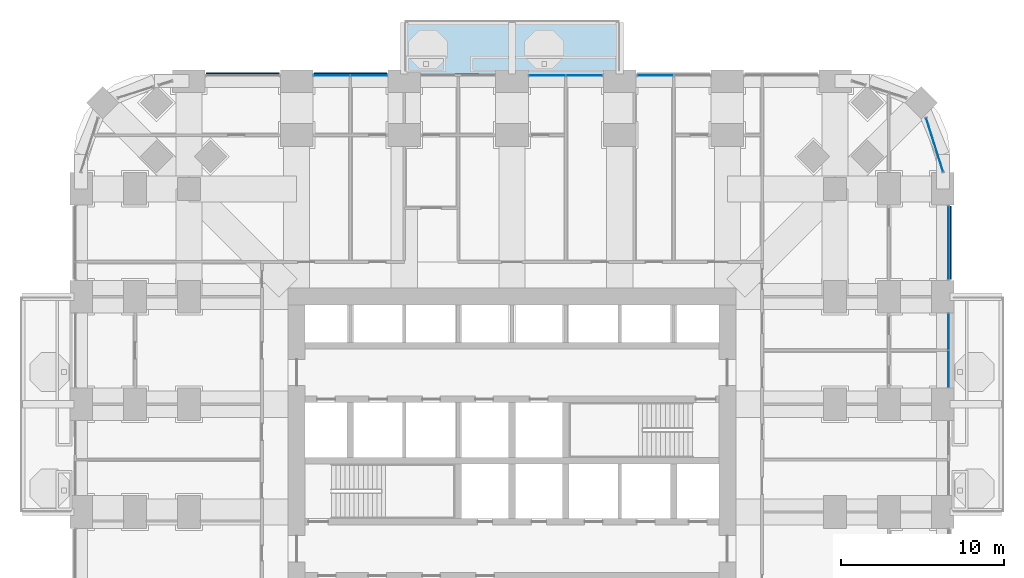
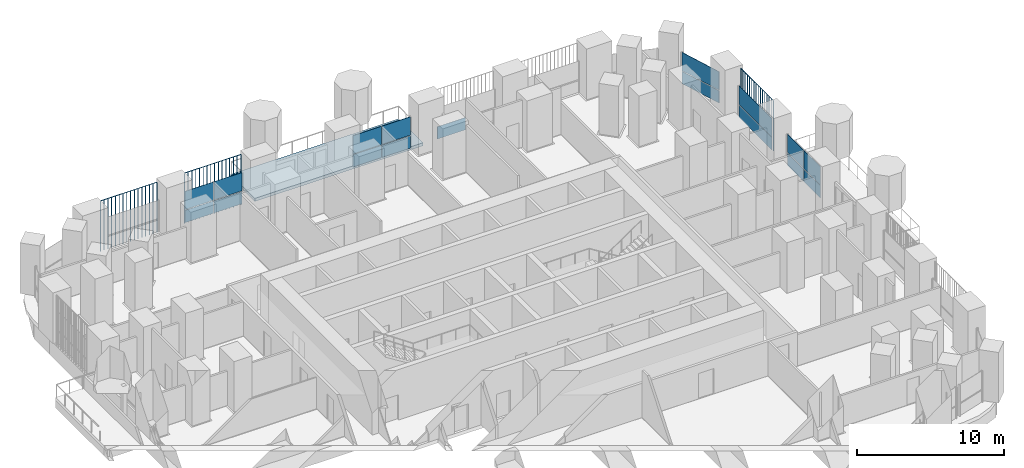
# One storey, part 14 of 25: 20 plates, 1 slab, 6 elements without a shape of their own.
"""IFC4 building model written with IfcOpenShell, lengths in metres."""

from ifc_helpers import new_model, si_unit, direction, frame, origin, origin_2d, place, context, subcontext, project, spatial, polyline, rectangle, outline, extrude, material, layer, layer_set, type_object, element, aggregate, save


model = new_model("IFC4")

# Units and contexts
model_context = context("Model", 3, precision=1e-05, world=origin(), true_north=direction((0.0, 1.0)))
body_context = subcontext(model_context, "Body", "Model", "MODEL_VIEW")
ifc_project = project(units=[si_unit("LENGTHUNIT", "METRE"), si_unit("AREAUNIT", "SQUARE_METRE"), si_unit("VOLUMEUNIT", "CUBIC_METRE"), si_unit("PLANEANGLEUNIT", "RADIAN"), si_unit("MASSUNIT", "GRAM", prefix="KILO")], contexts=[model_context])

# Site, building, storey
site_placement = place(None, origin())
site = spatial("IfcSite", under=ifc_project, at=site_placement, CompositionType="ELEMENT")
building_placement = place(site_placement, origin())
building = spatial("IfcBuilding", under=site, at=building_placement, Name="Cobogo Forest Laboratory Tower", CompositionType="ELEMENT")
storey_placement = place(building_placement, frame((0.0, 0.0, 67.5)))
storey = spatial("IfcBuildingStorey", under=building, at=storey_placement, Name="L15", CompositionType="ELEMENT", Elevation=67.5)

# Slab
ifc_material_1 = material(Name="Concrete HA-40 (C40/50)", Category="concrete")
ifc_layer_1 = layer(ifc_material_1, 0.25)
ifc_layer_set_1 = layer_set([ifc_layer_1], Name="Balcony slab 250")
slab_type = type_object("IfcSlabType", Name="Balcony slab 250", PredefinedType="FLOOR", material=ifc_layer_set_1)
slab_placement = place(storey_placement, frame((0.0, 0.0, -0.25)))
element("IfcSlab", 1, at=slab_placement, inside=storey, type_object=slab_type, Name="Balcony BAL-N1 L15", PredefinedType="FLOOR", context=body_context, shape_type="SweptSolid", body=[
    extrude(outline(polyline([(19.800048828125, 46.64990234375), (33.0, 46.64990234375), (33.0, 49.949951171875), (19.800048828125, 49.949951171875), (19.800048828125, 46.64990234375)])), origin(), (0.0, 0.0, 1.0), 0.25),
])

# Curtain wall, plates
ifc_material_2 = material(Name="Aluminium curtain wall", Category="aluminium")
curtain_wall_type = type_object("IfcCurtainWallType", Name="CW-1 unitised curtain wall, clear glazing, laboratory floors zones A and B", PredefinedType="USERDEFINED", material=ifc_material_2)
curtain_wall_1_placement = place(storey_placement, origin())
curtain_wall_1 = element("IfcCurtainWall", 2, at=curtain_wall_1_placement, inside=storey, type_object=curtain_wall_type, Name="Curtain wall 13 L15", ObjectType="UNITISED CURTAIN WALL", PredefinedType="USERDEFINED")
ifc_material_3 = material(Name="Clear insulated glass", Category="glass")
ifc_layer_2 = layer(ifc_material_3, 0.028076171875)
ifc_layer_set_2 = layer_set([ifc_layer_2], Name="GP-1 clear insulated glass unit 28")
plate_type_1 = type_object("IfcPlateType", Name="GP-1 clear insulated glass unit 28", PredefinedType="CURTAIN_PANEL", material=ifc_layer_set_2)
plate_1_placement = place(storey_placement, frame((53.14990234375, 28.56494140625, 0.0), z_axis=(0.0, 0.0, 1.0), x_axis=(0.0, 1.0, 0.0)))
plate_1 = element("IfcPlate", 3, at=plate_1_placement, type_object=plate_type_1, Name="CW-1 panel 1.1", PredefinedType="CURTAIN_PANEL", context=body_context, shape_type="SweptSolid", body=[
    extrude(rectangle(XDim=2.2099609375, YDim=0.028076171875, at=origin_2d()), origin(), (0.0, 0.0, 1.0), 1.02001953125),
])
plate_2_placement = place(storey_placement, frame((53.14990234375, 28.56494140625, 1.080078125), z_axis=(0.0, 0.0, 1.0), x_axis=(0.0, 1.0, 0.0)))
plate_2 = element("IfcPlate", 4, at=plate_2_placement, type_object=plate_type_1, Name="CW-1 panel 1.2", PredefinedType="CURTAIN_PANEL", context=body_context, shape_type="SweptSolid", body=[
    extrude(rectangle(XDim=2.2099609375, YDim=0.028076171875, at=origin_2d()), origin(), (0.0, 0.0, 1.0), 1.52001953125),
])
plate_3_placement = place(storey_placement, frame((53.14990234375, 30.8349609375, 0.0), z_axis=(0.0, 0.0, 1.0), x_axis=(0.0, 1.0, 0.0)))
plate_3 = element("IfcPlate", 5, at=plate_3_placement, type_object=plate_type_1, Name="CW-1 panel 2.1", PredefinedType="CURTAIN_PANEL", context=body_context, shape_type="SweptSolid", body=[
    extrude(rectangle(XDim=2.2099609375, YDim=0.028076171875, at=origin_2d()), origin(), (0.0, 0.0, 1.0), 1.02001953125),
])
plate_4_placement = place(storey_placement, frame((53.14990234375, 30.8349609375, 1.080078125), z_axis=(0.0, 0.0, 1.0), x_axis=(0.0, 1.0, 0.0)))
plate_4 = element("IfcPlate", 6, at=plate_4_placement, type_object=plate_type_1, Name="CW-1 panel 2.2", PredefinedType="CURTAIN_PANEL", context=body_context, shape_type="SweptSolid", body=[
    extrude(rectangle(XDim=2.2099609375, YDim=0.028076171875, at=origin_2d()), origin(), (0.0, 0.0, 1.0), 1.52001953125),
])
aggregate(curtain_wall_1, [plate_1, plate_2, plate_3, plate_4])

curtain_wall_2_placement = place(storey_placement, origin())
curtain_wall_2 = element("IfcCurtainWall", 7, at=curtain_wall_2_placement, inside=storey, type_object=curtain_wall_type, Name="Curtain wall 14 L15", ObjectType="UNITISED CURTAIN WALL", PredefinedType="USERDEFINED")
plate_5_placement = place(storey_placement, frame((53.14990234375, 36.300048828125, 0.0), z_axis=(0.0, 0.0, 1.0), x_axis=(0.0, 1.0, 0.0)))
plate_5 = element("IfcPlate", 8, at=plate_5_placement, type_object=plate_type_1, Name="CW-1 panel 1.1", PredefinedType="CURTAIN_PANEL", context=body_context, shape_type="SweptSolid", body=[
    extrude(rectangle(XDim=4.47998046875, YDim=0.028076171875, at=origin_2d()), origin(), (0.0, 0.0, 1.0), 1.02001953125),
])
plate_6_placement = place(storey_placement, frame((53.14990234375, 36.300048828125, 1.080078125), z_axis=(0.0, 0.0, 1.0), x_axis=(0.0, 1.0, 0.0)))
plate_6 = element("IfcPlate", 9, at=plate_6_placement, type_object=plate_type_1, Name="CW-1 panel 1.2", PredefinedType="CURTAIN_PANEL", context=body_context, shape_type="SweptSolid", body=[
    extrude(rectangle(XDim=4.47998046875, YDim=0.028076171875, at=origin_2d()), origin(), (0.0, 0.0, 1.0), 1.52001953125),
])
aggregate(curtain_wall_2, [plate_5, plate_6])

curtain_wall_3_placement = place(storey_placement, origin())
curtain_wall_3 = element("IfcCurtainWall", 10, at=curtain_wall_3_placement, inside=storey, type_object=curtain_wall_type, Name="Curtain wall 15 L15", ObjectType="UNITISED CURTAIN WALL", PredefinedType="USERDEFINED")
plate_7_placement = place(storey_placement, frame((52.299072265625, 42.294921875, 0.0), z_axis=(0.0, 0.0, 1.0), x_axis=(-0.301135433696, 0.953581381201, 0.0)))
plate_7 = element("IfcPlate", 11, at=plate_7_placement, type_object=plate_type_1, Name="CW-1 panel 1.1", PredefinedType="CURTAIN_PANEL", context=body_context, shape_type="SweptSolid", body=[
    extrude(rectangle(XDim=3.434814453125, YDim=0.028076171875, at=origin_2d()), origin(), (0.0, 0.0, 1.0), 1.02001953125),
])
plate_8_placement = place(storey_placement, frame((52.299072265625, 42.294921875, 1.080078125), z_axis=(0.0, 0.0, 1.0), x_axis=(-0.301135433696, 0.953581381201, 0.0)))
plate_8 = element("IfcPlate", 12, at=plate_8_placement, type_object=plate_type_1, Name="CW-1 panel 1.2", PredefinedType="CURTAIN_PANEL", context=body_context, shape_type="SweptSolid", body=[
    extrude(rectangle(XDim=3.434814453125, YDim=0.028076171875, at=origin_2d()), origin(), (0.0, 0.0, 1.0), 1.52001953125),
])
aggregate(curtain_wall_3, [plate_7, plate_8])

# Curtain wall, plate
curtain_wall_4_placement = place(storey_placement, origin())
curtain_wall_4 = element("IfcCurtainWall", 13, at=curtain_wall_4_placement, inside=storey, type_object=curtain_wall_type, Name="Curtain wall 19 L15", ObjectType="UNITISED CURTAIN WALL", PredefinedType="USERDEFINED")
plate_9_placement = place(storey_placement, frame((35.1650390625, 46.550048828125, 0.0), z_axis=(0.0, 0.0, 1.0), x_axis=(-1.0, 0.0, 0.0)))
plate_9 = element("IfcPlate", 14, at=plate_9_placement, type_object=plate_type_1, Name="CW-1 panel 2.1", PredefinedType="CURTAIN_PANEL", context=body_context, shape_type="SweptSolid", body=[
    extrude(rectangle(XDim=2.2099609375, YDim=0.028076171875, at=origin_2d()), origin(), (0.0, 0.0, 1.0), 1.02001953125),
])
aggregate(curtain_wall_4, [plate_9])

# Curtain wall, plates
curtain_wall_5_placement = place(storey_placement, origin())
curtain_wall_5 = element("IfcCurtainWall", 15, at=curtain_wall_5_placement, inside=storey, type_object=curtain_wall_type, Name="Curtain wall 20 L15", ObjectType="UNITISED CURTAIN WALL", PredefinedType="USERDEFINED")
plate_10_placement = place(storey_placement, frame((30.8349609375, 46.550048828125, 0.0), z_axis=(0.0, 0.0, 1.0), x_axis=(-1.0, 0.0, 0.0)))
plate_10 = element("IfcPlate", 16, at=plate_10_placement, type_object=plate_type_1, Name="CW-1 panel 1.1", PredefinedType="CURTAIN_PANEL", context=body_context, shape_type="SweptSolid", body=[
    extrude(rectangle(XDim=2.2099609375, YDim=0.028076171875, at=origin_2d()), origin(), (0.0, 0.0, 1.0), 1.02001953125),
])
plate_11_placement = place(storey_placement, frame((30.8349609375, 46.550048828125, 1.080078125), z_axis=(0.0, 0.0, 1.0), x_axis=(-1.0, 0.0, 0.0)))
plate_11 = element("IfcPlate", 17, at=plate_11_placement, type_object=plate_type_1, Name="CW-1 panel 1.2", PredefinedType="CURTAIN_PANEL", context=body_context, shape_type="SweptSolid", body=[
    extrude(rectangle(XDim=2.2099609375, YDim=0.028076171875, at=origin_2d()), origin(), (0.0, 0.0, 1.0), 1.52001953125),
])
plate_12_placement = place(storey_placement, frame((28.56494140625, 46.550048828125, 0.0), z_axis=(0.0, 0.0, 1.0), x_axis=(-1.0, 0.0, 0.0)))
plate_12 = element("IfcPlate", 18, at=plate_12_placement, type_object=plate_type_1, Name="CW-1 panel 2.1", PredefinedType="CURTAIN_PANEL", context=body_context, shape_type="SweptSolid", body=[
    extrude(rectangle(XDim=2.2099609375, YDim=0.028076171875, at=origin_2d()), origin(), (0.0, 0.0, 1.0), 1.02001953125),
])
plate_13_placement = place(storey_placement, frame((28.56494140625, 46.550048828125, 1.080078125), z_axis=(0.0, 0.0, 1.0), x_axis=(-1.0, 0.0, 0.0)))
plate_13 = element("IfcPlate", 19, at=plate_13_placement, type_object=plate_type_1, Name="CW-1 panel 2.2", PredefinedType="CURTAIN_PANEL", context=body_context, shape_type="SweptSolid", body=[
    extrude(rectangle(XDim=2.2099609375, YDim=0.028076171875, at=origin_2d()), origin(), (0.0, 0.0, 1.0), 1.52001953125),
])
aggregate(curtain_wall_5, [plate_10, plate_11, plate_12, plate_13])

curtain_wall_6_placement = place(storey_placement, origin())
curtain_wall_6 = element("IfcCurtainWall", 20, at=curtain_wall_6_placement, inside=storey, type_object=curtain_wall_type, Name="Curtain wall 22 L15", ObjectType="UNITISED CURTAIN WALL", PredefinedType="USERDEFINED")
plate_14_placement = place(storey_placement, frame((17.635009765625, 46.550048828125, 0.0), z_axis=(0.0, 0.0, 1.0), x_axis=(-1.0, 0.0, 0.0)))
plate_14 = element("IfcPlate", 21, at=plate_14_placement, type_object=plate_type_1, Name="CW-1 panel 1.1", PredefinedType="CURTAIN_PANEL", context=body_context, shape_type="SweptSolid", body=[
    extrude(rectangle(XDim=2.2099609375, YDim=0.028076171875, at=origin_2d()), origin(), (0.0, 0.0, 1.0), 1.02001953125),
])
plate_15_placement = place(storey_placement, frame((17.635009765625, 46.550048828125, 1.080078125), z_axis=(0.0, 0.0, 1.0), x_axis=(-1.0, 0.0, 0.0)))
plate_15 = element("IfcPlate", 22, at=plate_15_placement, type_object=plate_type_1, Name="CW-1 panel 1.2", PredefinedType="CURTAIN_PANEL", context=body_context, shape_type="SweptSolid", body=[
    extrude(rectangle(XDim=2.2099609375, YDim=0.028076171875, at=origin_2d()), origin(), (0.0, 0.0, 1.0), 1.52001953125),
])
plate_16_placement = place(storey_placement, frame((15.364990234375, 46.550048828125, 0.0), z_axis=(0.0, 0.0, 1.0), x_axis=(-1.0, 0.0, 0.0)))
plate_16 = element("IfcPlate", 23, at=plate_16_placement, type_object=plate_type_1, Name="CW-1 panel 2.1", PredefinedType="CURTAIN_PANEL", context=body_context, shape_type="SweptSolid", body=[
    extrude(rectangle(XDim=2.2099609375, YDim=0.028076171875, at=origin_2d()), origin(), (0.0, 0.0, 1.0), 1.02001953125),
])
plate_17_placement = place(storey_placement, frame((15.364990234375, 46.550048828125, 1.080078125), z_axis=(0.0, 0.0, 1.0), x_axis=(-1.0, 0.0, 0.0)))
plate_17 = element("IfcPlate", 24, at=plate_17_placement, type_object=plate_type_1, Name="CW-1 panel 2.2", PredefinedType="CURTAIN_PANEL", context=body_context, shape_type="SweptSolid", body=[
    extrude(rectangle(XDim=2.2099609375, YDim=0.028076171875, at=origin_2d()), origin(), (0.0, 0.0, 1.0), 1.52001953125),
])
aggregate(curtain_wall_6, [plate_14, plate_15, plate_16, plate_17])

# Plates
ifc_material_4 = material(Name="Terracotta", Category="masonry")
plate_type_2 = type_object("IfcPlateType", Name="TB1 terracotta baguette screen", PredefinedType="USERDEFINED", material=ifc_material_4)
plate_18_placement = place(storey_placement, frame((53.27783203125, 34.081298828125, -0.14990234375)))
element("IfcPlate", 25, at=plate_18_placement, inside=storey, type_object=plate_type_2, Name="Baguette screen E5 L15", ObjectType="BAGUETTE SCREEN", PredefinedType="USERDEFINED", context=body_context, shape_type="SweptSolid", body=[
    extrude(outline(polyline([(0.02880859375, 0.011962890625), (0.011962890625, 0.02880859375), (-0.011962890625, 0.02880859375), (-0.02880859375, 0.011962890625), (-0.02880859375, -0.011962890625), (-0.011962890625, -0.02880859375), (0.011962890625, -0.02880859375), (0.02880859375, -0.011962890625), (0.02880859375, 0.011962890625)])), frame((0.0, 0.0, 4.168701171875), z_axis=(0.0, 1.0, 0.0), x_axis=(-1.0, 0.0, 0.0)), (0.0, 0.0, 1.0), 4.4375),
    extrude(outline(polyline([(0.02880859375, 0.011962890625), (0.011962890625, 0.02880859375), (-0.011962890625, 0.02880859375), (-0.02880859375, 0.011962890625), (-0.02880859375, -0.011962890625), (-0.011962890625, -0.02880859375), (0.011962890625, -0.02880859375), (0.02880859375, -0.011962890625), (0.02880859375, 0.011962890625)])), origin(), (0.0, 0.0, 1.0), 4.137451171875),
    extrude(outline(polyline([(0.02880859375, 0.011962890625), (0.011962890625, 0.02880859375), (-0.011962890625, 0.02880859375), (-0.02880859375, 0.011962890625), (-0.02880859375, -0.011962890625), (-0.011962890625, -0.02880859375), (0.011962890625, -0.02880859375), (0.02880859375, -0.011962890625), (0.02880859375, 0.011962890625)])), frame((0.0, 0.2958984375, 0.0)), (0.0, 0.0, 1.0), 4.137451171875),
    extrude(outline(polyline([(0.02880859375, 0.011962890625), (0.011962890625, 0.02880859375), (-0.011962890625, 0.02880859375), (-0.02880859375, 0.011962890625), (-0.02880859375, -0.011962890625), (-0.011962890625, -0.02880859375), (0.011962890625, -0.02880859375), (0.02880859375, -0.011962890625), (0.02880859375, 0.011962890625)])), frame((0.0, 0.591552734375, 0.0)), (0.0, 0.0, 1.0), 4.137451171875),
    extrude(outline(polyline([(0.02880859375, 0.011962890625), (0.011962890625, 0.02880859375), (-0.011962890625, 0.02880859375), (-0.02880859375, 0.011962890625), (-0.02880859375, -0.011962890625), (-0.011962890625, -0.02880859375), (0.011962890625, -0.02880859375), (0.02880859375, -0.011962890625), (0.02880859375, 0.011962890625)])), frame((0.0, 0.887451171875, 0.0)), (0.0, 0.0, 1.0), 4.137451171875),
    extrude(outline(polyline([(0.02880859375, 0.011962890625), (0.011962890625, 0.02880859375), (-0.011962890625, 0.02880859375), (-0.02880859375, 0.011962890625), (-0.02880859375, -0.011962890625), (-0.011962890625, -0.02880859375), (0.011962890625, -0.02880859375), (0.02880859375, -0.011962890625), (0.02880859375, 0.011962890625)])), frame((0.0, 1.183349609375, 0.0)), (0.0, 0.0, 1.0), 4.137451171875),
    extrude(outline(polyline([(0.02880859375, 0.011962890625), (0.011962890625, 0.02880859375), (-0.011962890625, 0.02880859375), (-0.02880859375, 0.011962890625), (-0.02880859375, -0.011962890625), (-0.011962890625, -0.02880859375), (0.011962890625, -0.02880859375), (0.02880859375, -0.011962890625), (0.02880859375, 0.011962890625)])), frame((0.0, 1.479248046875, 0.0)), (0.0, 0.0, 1.0), 4.137451171875),
    extrude(outline(polyline([(0.02880859375, 0.011962890625), (0.011962890625, 0.02880859375), (-0.011962890625, 0.02880859375), (-0.02880859375, 0.011962890625), (-0.02880859375, -0.011962890625), (-0.011962890625, -0.02880859375), (0.011962890625, -0.02880859375), (0.02880859375, -0.011962890625), (0.02880859375, 0.011962890625)])), frame((0.0, 1.77490234375, 0.0)), (0.0, 0.0, 1.0), 4.137451171875),
    extrude(outline(polyline([(0.02880859375, 0.011962890625), (0.011962890625, 0.02880859375), (-0.011962890625, 0.02880859375), (-0.02880859375, 0.011962890625), (-0.02880859375, -0.011962890625), (-0.011962890625, -0.02880859375), (0.011962890625, -0.02880859375), (0.02880859375, -0.011962890625), (0.02880859375, 0.011962890625)])), frame((0.0, 2.07080078125, 0.0)), (0.0, 0.0, 1.0), 4.137451171875),
    extrude(outline(polyline([(0.02880859375, 0.011962890625), (0.011962890625, 0.02880859375), (-0.011962890625, 0.02880859375), (-0.02880859375, 0.011962890625), (-0.02880859375, -0.011962890625), (-0.011962890625, -0.02880859375), (0.011962890625, -0.02880859375), (0.02880859375, -0.011962890625), (0.02880859375, 0.011962890625)])), frame((0.0, 2.36669921875, 0.0)), (0.0, 0.0, 1.0), 4.137451171875),
    extrude(outline(polyline([(0.02880859375, 0.011962890625), (0.011962890625, 0.02880859375), (-0.011962890625, 0.02880859375), (-0.02880859375, 0.011962890625), (-0.02880859375, -0.011962890625), (-0.011962890625, -0.02880859375), (0.011962890625, -0.02880859375), (0.02880859375, -0.011962890625), (0.02880859375, 0.011962890625)])), frame((0.0, 2.66259765625, 0.0)), (0.0, 0.0, 1.0), 4.137451171875),
    extrude(outline(polyline([(0.02880859375, 0.011962890625), (0.011962890625, 0.02880859375), (-0.011962890625, 0.02880859375), (-0.02880859375, 0.011962890625), (-0.02880859375, -0.011962890625), (-0.011962890625, -0.02880859375), (0.011962890625, -0.02880859375), (0.02880859375, -0.011962890625), (0.02880859375, 0.011962890625)])), frame((0.0, 2.958251953125, 0.0)), (0.0, 0.0, 1.0), 4.137451171875),
    extrude(outline(polyline([(0.02880859375, 0.011962890625), (0.011962890625, 0.02880859375), (-0.011962890625, 0.02880859375), (-0.02880859375, 0.011962890625), (-0.02880859375, -0.011962890625), (-0.011962890625, -0.02880859375), (0.011962890625, -0.02880859375), (0.02880859375, -0.011962890625), (0.02880859375, 0.011962890625)])), frame((0.0, 3.254150390625, 0.0)), (0.0, 0.0, 1.0), 4.137451171875),
    extrude(outline(polyline([(0.02880859375, 0.011962890625), (0.011962890625, 0.02880859375), (-0.011962890625, 0.02880859375), (-0.02880859375, 0.011962890625), (-0.02880859375, -0.011962890625), (-0.011962890625, -0.02880859375), (0.011962890625, -0.02880859375), (0.02880859375, -0.011962890625), (0.02880859375, 0.011962890625)])), frame((0.0, 3.550048828125, 0.0)), (0.0, 0.0, 1.0), 4.137451171875),
    extrude(outline(polyline([(0.02880859375, 0.011962890625), (0.011962890625, 0.02880859375), (-0.011962890625, 0.02880859375), (-0.02880859375, 0.011962890625), (-0.02880859375, -0.011962890625), (-0.011962890625, -0.02880859375), (0.011962890625, -0.02880859375), (0.02880859375, -0.011962890625), (0.02880859375, 0.011962890625)])), frame((0.0, 3.845947265625, 0.0)), (0.0, 0.0, 1.0), 4.137451171875),
    extrude(outline(polyline([(0.02880859375, 0.011962890625), (0.011962890625, 0.02880859375), (-0.011962890625, 0.02880859375), (-0.02880859375, 0.011962890625), (-0.02880859375, -0.011962890625), (-0.011962890625, -0.02880859375), (0.011962890625, -0.02880859375), (0.02880859375, -0.011962890625), (0.02880859375, 0.011962890625)])), frame((0.0, 4.1416015625, 0.0)), (0.0, 0.0, 1.0), 4.137451171875),
    extrude(outline(polyline([(0.02880859375, 0.011962890625), (0.011962890625, 0.02880859375), (-0.011962890625, 0.02880859375), (-0.02880859375, 0.011962890625), (-0.02880859375, -0.011962890625), (-0.011962890625, -0.02880859375), (0.011962890625, -0.02880859375), (0.02880859375, -0.011962890625), (0.02880859375, 0.011962890625)])), frame((0.0, 4.4375, 0.0)), (0.0, 0.0, 1.0), 4.137451171875),
])
plate_19_placement = place(storey_placement, frame((7.68115234375, 46.677978515625, -0.14990234375)))
element("IfcPlate", 26, at=plate_19_placement, inside=storey, type_object=plate_type_2, Name="Baguette screen N1 L15", ObjectType="BAGUETTE SCREEN", PredefinedType="USERDEFINED", context=body_context, shape_type="SweptSolid", body=[
    extrude(outline(polyline([(0.02880859375, 0.011962890625), (0.011962890625, 0.02880859375), (-0.011962890625, 0.02880859375), (-0.02880859375, 0.011962890625), (-0.02880859375, -0.011962890625), (-0.011962890625, -0.02880859375), (0.011962890625, -0.02880859375), (0.02880859375, -0.011962890625), (0.02880859375, 0.011962890625)])), frame((0.0, 0.0, 4.168701171875), z_axis=(1.0, 0.0, 0.0), x_axis=(0.0, 1.0, 0.0)), (0.0, 0.0, 1.0), 4.4375),
    extrude(outline(polyline([(0.02880859375, 0.011962890625), (0.011962890625, 0.02880859375), (-0.011962890625, 0.02880859375), (-0.02880859375, 0.011962890625), (-0.02880859375, -0.011962890625), (-0.011962890625, -0.02880859375), (0.011962890625, -0.02880859375), (0.02880859375, -0.011962890625), (0.02880859375, 0.011962890625)])), origin(), (0.0, 0.0, 1.0), 4.137451171875),
    extrude(outline(polyline([(0.02880859375, 0.011962890625), (0.011962890625, 0.02880859375), (-0.011962890625, 0.02880859375), (-0.02880859375, 0.011962890625), (-0.02880859375, -0.011962890625), (-0.011962890625, -0.02880859375), (0.011962890625, -0.02880859375), (0.02880859375, -0.011962890625), (0.02880859375, 0.011962890625)])), frame((0.2958984375, 0.0, 0.0)), (0.0, 0.0, 1.0), 4.137451171875),
    extrude(outline(polyline([(0.02880859375, 0.011962890625), (0.011962890625, 0.02880859375), (-0.011962890625, 0.02880859375), (-0.02880859375, 0.011962890625), (-0.02880859375, -0.011962890625), (-0.011962890625, -0.02880859375), (0.011962890625, -0.02880859375), (0.02880859375, -0.011962890625), (0.02880859375, 0.011962890625)])), frame((0.591552734375, 0.0, 0.0)), (0.0, 0.0, 1.0), 4.137451171875),
    extrude(outline(polyline([(0.02880859375, 0.011962890625), (0.011962890625, 0.02880859375), (-0.011962890625, 0.02880859375), (-0.02880859375, 0.011962890625), (-0.02880859375, -0.011962890625), (-0.011962890625, -0.02880859375), (0.011962890625, -0.02880859375), (0.02880859375, -0.011962890625), (0.02880859375, 0.011962890625)])), frame((0.887451171875, 0.0, 0.0)), (0.0, 0.0, 1.0), 4.137451171875),
    extrude(outline(polyline([(0.02880859375, 0.011962890625), (0.011962890625, 0.02880859375), (-0.011962890625, 0.02880859375), (-0.02880859375, 0.011962890625), (-0.02880859375, -0.011962890625), (-0.011962890625, -0.02880859375), (0.011962890625, -0.02880859375), (0.02880859375, -0.011962890625), (0.02880859375, 0.011962890625)])), frame((1.183349609375, 0.0, 0.0)), (0.0, 0.0, 1.0), 4.137451171875),
    extrude(outline(polyline([(0.02880859375, 0.011962890625), (0.011962890625, 0.02880859375), (-0.011962890625, 0.02880859375), (-0.02880859375, 0.011962890625), (-0.02880859375, -0.011962890625), (-0.011962890625, -0.02880859375), (0.011962890625, -0.02880859375), (0.02880859375, -0.011962890625), (0.02880859375, 0.011962890625)])), frame((1.479248046875, 0.0, 0.0)), (0.0, 0.0, 1.0), 4.137451171875),
    extrude(outline(polyline([(0.02880859375, 0.011962890625), (0.011962890625, 0.02880859375), (-0.011962890625, 0.02880859375), (-0.02880859375, 0.011962890625), (-0.02880859375, -0.011962890625), (-0.011962890625, -0.02880859375), (0.011962890625, -0.02880859375), (0.02880859375, -0.011962890625), (0.02880859375, 0.011962890625)])), frame((1.77490234375, 0.0, 0.0)), (0.0, 0.0, 1.0), 4.137451171875),
    extrude(outline(polyline([(0.02880859375, 0.011962890625), (0.011962890625, 0.02880859375), (-0.011962890625, 0.02880859375), (-0.02880859375, 0.011962890625), (-0.02880859375, -0.011962890625), (-0.011962890625, -0.02880859375), (0.011962890625, -0.02880859375), (0.02880859375, -0.011962890625), (0.02880859375, 0.011962890625)])), frame((2.07080078125, 0.0, 0.0)), (0.0, 0.0, 1.0), 4.137451171875),
    extrude(outline(polyline([(0.02880859375, 0.011962890625), (0.011962890625, 0.02880859375), (-0.011962890625, 0.02880859375), (-0.02880859375, 0.011962890625), (-0.02880859375, -0.011962890625), (-0.011962890625, -0.02880859375), (0.011962890625, -0.02880859375), (0.02880859375, -0.011962890625), (0.02880859375, 0.011962890625)])), frame((2.36669921875, 0.0, 0.0)), (0.0, 0.0, 1.0), 4.137451171875),
    extrude(outline(polyline([(0.02880859375, 0.011962890625), (0.011962890625, 0.02880859375), (-0.011962890625, 0.02880859375), (-0.02880859375, 0.011962890625), (-0.02880859375, -0.011962890625), (-0.011962890625, -0.02880859375), (0.011962890625, -0.02880859375), (0.02880859375, -0.011962890625), (0.02880859375, 0.011962890625)])), frame((2.66259765625, 0.0, 0.0)), (0.0, 0.0, 1.0), 4.137451171875),
    extrude(outline(polyline([(0.02880859375, 0.011962890625), (0.011962890625, 0.02880859375), (-0.011962890625, 0.02880859375), (-0.02880859375, 0.011962890625), (-0.02880859375, -0.011962890625), (-0.011962890625, -0.02880859375), (0.011962890625, -0.02880859375), (0.02880859375, -0.011962890625), (0.02880859375, 0.011962890625)])), frame((2.958251953125, 0.0, 0.0)), (0.0, 0.0, 1.0), 4.137451171875),
    extrude(outline(polyline([(0.02880859375, 0.011962890625), (0.011962890625, 0.02880859375), (-0.011962890625, 0.02880859375), (-0.02880859375, 0.011962890625), (-0.02880859375, -0.011962890625), (-0.011962890625, -0.02880859375), (0.011962890625, -0.02880859375), (0.02880859375, -0.011962890625), (0.02880859375, 0.011962890625)])), frame((3.254150390625, 0.0, 0.0)), (0.0, 0.0, 1.0), 4.137451171875),
    extrude(outline(polyline([(0.02880859375, 0.011962890625), (0.011962890625, 0.02880859375), (-0.011962890625, 0.02880859375), (-0.02880859375, 0.011962890625), (-0.02880859375, -0.011962890625), (-0.011962890625, -0.02880859375), (0.011962890625, -0.02880859375), (0.02880859375, -0.011962890625), (0.02880859375, 0.011962890625)])), frame((3.550048828125, 0.0, 0.0)), (0.0, 0.0, 1.0), 4.137451171875),
    extrude(outline(polyline([(0.02880859375, 0.011962890625), (0.011962890625, 0.02880859375), (-0.011962890625, 0.02880859375), (-0.02880859375, 0.011962890625), (-0.02880859375, -0.011962890625), (-0.011962890625, -0.02880859375), (0.011962890625, -0.02880859375), (0.02880859375, -0.011962890625), (0.02880859375, 0.011962890625)])), frame((3.845947265625, 0.0, 0.0)), (0.0, 0.0, 1.0), 4.137451171875),
    extrude(outline(polyline([(0.02880859375, 0.011962890625), (0.011962890625, 0.02880859375), (-0.011962890625, 0.02880859375), (-0.02880859375, 0.011962890625), (-0.02880859375, -0.011962890625), (-0.011962890625, -0.02880859375), (0.011962890625, -0.02880859375), (0.02880859375, -0.011962890625), (0.02880859375, 0.011962890625)])), frame((4.1416015625, 0.0, 0.0)), (0.0, 0.0, 1.0), 4.137451171875),
    extrude(outline(polyline([(0.02880859375, 0.011962890625), (0.011962890625, 0.02880859375), (-0.011962890625, 0.02880859375), (-0.02880859375, 0.011962890625), (-0.02880859375, -0.011962890625), (-0.011962890625, -0.02880859375), (0.011962890625, -0.02880859375), (0.02880859375, -0.011962890625), (0.02880859375, 0.011962890625)])), frame((4.4375, 0.0, 0.0)), (0.0, 0.0, 1.0), 4.137451171875),
])
plate_20_placement = place(storey_placement, frame((14.28125, 46.677978515625, -0.14990234375)))
element("IfcPlate", 27, at=plate_20_placement, inside=storey, type_object=plate_type_2, Name="Baguette screen N2 L15", ObjectType="BAGUETTE SCREEN", PredefinedType="USERDEFINED", context=body_context, shape_type="SweptSolid", body=[
    extrude(outline(polyline([(0.02880859375, 0.011962890625), (0.011962890625, 0.02880859375), (-0.011962890625, 0.02880859375), (-0.02880859375, 0.011962890625), (-0.02880859375, -0.011962890625), (-0.011962890625, -0.02880859375), (0.011962890625, -0.02880859375), (0.02880859375, -0.011962890625), (0.02880859375, 0.011962890625)])), frame((0.0, 0.0, 4.168701171875), z_axis=(1.0, 0.0, 0.0), x_axis=(0.0, 1.0, 0.0)), (0.0, 0.0, 1.0), 4.4375),
    extrude(outline(polyline([(0.02880859375, 0.011962890625), (0.011962890625, 0.02880859375), (-0.011962890625, 0.02880859375), (-0.02880859375, 0.011962890625), (-0.02880859375, -0.011962890625), (-0.011962890625, -0.02880859375), (0.011962890625, -0.02880859375), (0.02880859375, -0.011962890625), (0.02880859375, 0.011962890625)])), origin(), (0.0, 0.0, 1.0), 4.137451171875),
    extrude(outline(polyline([(0.02880859375, 0.011962890625), (0.011962890625, 0.02880859375), (-0.011962890625, 0.02880859375), (-0.02880859375, 0.011962890625), (-0.02880859375, -0.011962890625), (-0.011962890625, -0.02880859375), (0.011962890625, -0.02880859375), (0.02880859375, -0.011962890625), (0.02880859375, 0.011962890625)])), frame((0.2958984375, 0.0, 0.0)), (0.0, 0.0, 1.0), 4.137451171875),
    extrude(outline(polyline([(0.02880859375, 0.011962890625), (0.011962890625, 0.02880859375), (-0.011962890625, 0.02880859375), (-0.02880859375, 0.011962890625), (-0.02880859375, -0.011962890625), (-0.011962890625, -0.02880859375), (0.011962890625, -0.02880859375), (0.02880859375, -0.011962890625), (0.02880859375, 0.011962890625)])), frame((0.591552734375, 0.0, 0.0)), (0.0, 0.0, 1.0), 4.137451171875),
    extrude(outline(polyline([(0.02880859375, 0.011962890625), (0.011962890625, 0.02880859375), (-0.011962890625, 0.02880859375), (-0.02880859375, 0.011962890625), (-0.02880859375, -0.011962890625), (-0.011962890625, -0.02880859375), (0.011962890625, -0.02880859375), (0.02880859375, -0.011962890625), (0.02880859375, 0.011962890625)])), frame((0.887451171875, 0.0, 0.0)), (0.0, 0.0, 1.0), 4.137451171875),
    extrude(outline(polyline([(0.02880859375, 0.011962890625), (0.011962890625, 0.02880859375), (-0.011962890625, 0.02880859375), (-0.02880859375, 0.011962890625), (-0.02880859375, -0.011962890625), (-0.011962890625, -0.02880859375), (0.011962890625, -0.02880859375), (0.02880859375, -0.011962890625), (0.02880859375, 0.011962890625)])), frame((1.183349609375, 0.0, 0.0)), (0.0, 0.0, 1.0), 4.137451171875),
    extrude(outline(polyline([(0.02880859375, 0.011962890625), (0.011962890625, 0.02880859375), (-0.011962890625, 0.02880859375), (-0.02880859375, 0.011962890625), (-0.02880859375, -0.011962890625), (-0.011962890625, -0.02880859375), (0.011962890625, -0.02880859375), (0.02880859375, -0.011962890625), (0.02880859375, 0.011962890625)])), frame((1.479248046875, 0.0, 0.0)), (0.0, 0.0, 1.0), 4.137451171875),
    extrude(outline(polyline([(0.02880859375, 0.011962890625), (0.011962890625, 0.02880859375), (-0.011962890625, 0.02880859375), (-0.02880859375, 0.011962890625), (-0.02880859375, -0.011962890625), (-0.011962890625, -0.02880859375), (0.011962890625, -0.02880859375), (0.02880859375, -0.011962890625), (0.02880859375, 0.011962890625)])), frame((1.77490234375, 0.0, 0.0)), (0.0, 0.0, 1.0), 4.137451171875),
    extrude(outline(polyline([(0.02880859375, 0.011962890625), (0.011962890625, 0.02880859375), (-0.011962890625, 0.02880859375), (-0.02880859375, 0.011962890625), (-0.02880859375, -0.011962890625), (-0.011962890625, -0.02880859375), (0.011962890625, -0.02880859375), (0.02880859375, -0.011962890625), (0.02880859375, 0.011962890625)])), frame((2.07080078125, 0.0, 0.0)), (0.0, 0.0, 1.0), 4.137451171875),
    extrude(outline(polyline([(0.02880859375, 0.011962890625), (0.011962890625, 0.02880859375), (-0.011962890625, 0.02880859375), (-0.02880859375, 0.011962890625), (-0.02880859375, -0.011962890625), (-0.011962890625, -0.02880859375), (0.011962890625, -0.02880859375), (0.02880859375, -0.011962890625), (0.02880859375, 0.011962890625)])), frame((2.36669921875, 0.0, 0.0)), (0.0, 0.0, 1.0), 4.137451171875),
    extrude(outline(polyline([(0.02880859375, 0.011962890625), (0.011962890625, 0.02880859375), (-0.011962890625, 0.02880859375), (-0.02880859375, 0.011962890625), (-0.02880859375, -0.011962890625), (-0.011962890625, -0.02880859375), (0.011962890625, -0.02880859375), (0.02880859375, -0.011962890625), (0.02880859375, 0.011962890625)])), frame((2.66259765625, 0.0, 0.0)), (0.0, 0.0, 1.0), 4.137451171875),
    extrude(outline(polyline([(0.02880859375, 0.011962890625), (0.011962890625, 0.02880859375), (-0.011962890625, 0.02880859375), (-0.02880859375, 0.011962890625), (-0.02880859375, -0.011962890625), (-0.011962890625, -0.02880859375), (0.011962890625, -0.02880859375), (0.02880859375, -0.011962890625), (0.02880859375, 0.011962890625)])), frame((2.958251953125, 0.0, 0.0)), (0.0, 0.0, 1.0), 4.137451171875),
    extrude(outline(polyline([(0.02880859375, 0.011962890625), (0.011962890625, 0.02880859375), (-0.011962890625, 0.02880859375), (-0.02880859375, 0.011962890625), (-0.02880859375, -0.011962890625), (-0.011962890625, -0.02880859375), (0.011962890625, -0.02880859375), (0.02880859375, -0.011962890625), (0.02880859375, 0.011962890625)])), frame((3.254150390625, 0.0, 0.0)), (0.0, 0.0, 1.0), 4.137451171875),
    extrude(outline(polyline([(0.02880859375, 0.011962890625), (0.011962890625, 0.02880859375), (-0.011962890625, 0.02880859375), (-0.02880859375, 0.011962890625), (-0.02880859375, -0.011962890625), (-0.011962890625, -0.02880859375), (0.011962890625, -0.02880859375), (0.02880859375, -0.011962890625), (0.02880859375, 0.011962890625)])), frame((3.550048828125, 0.0, 0.0)), (0.0, 0.0, 1.0), 4.137451171875),
    extrude(outline(polyline([(0.02880859375, 0.011962890625), (0.011962890625, 0.02880859375), (-0.011962890625, 0.02880859375), (-0.02880859375, 0.011962890625), (-0.02880859375, -0.011962890625), (-0.011962890625, -0.02880859375), (0.011962890625, -0.02880859375), (0.02880859375, -0.011962890625), (0.02880859375, 0.011962890625)])), frame((3.845947265625, 0.0, 0.0)), (0.0, 0.0, 1.0), 4.137451171875),
    extrude(outline(polyline([(0.02880859375, 0.011962890625), (0.011962890625, 0.02880859375), (-0.011962890625, 0.02880859375), (-0.02880859375, 0.011962890625), (-0.02880859375, -0.011962890625), (-0.011962890625, -0.02880859375), (0.011962890625, -0.02880859375), (0.02880859375, -0.011962890625), (0.02880859375, 0.011962890625)])), frame((4.1416015625, 0.0, 0.0)), (0.0, 0.0, 1.0), 4.137451171875),
    extrude(outline(polyline([(0.02880859375, 0.011962890625), (0.011962890625, 0.02880859375), (-0.011962890625, 0.02880859375), (-0.02880859375, 0.011962890625), (-0.02880859375, -0.011962890625), (-0.011962890625, -0.02880859375), (0.011962890625, -0.02880859375), (0.02880859375, -0.011962890625), (0.02880859375, 0.011962890625)])), frame((4.4375, 0.0, 0.0)), (0.0, 0.0, 1.0), 4.137451171875),
])

save(model, "model.ifc")
